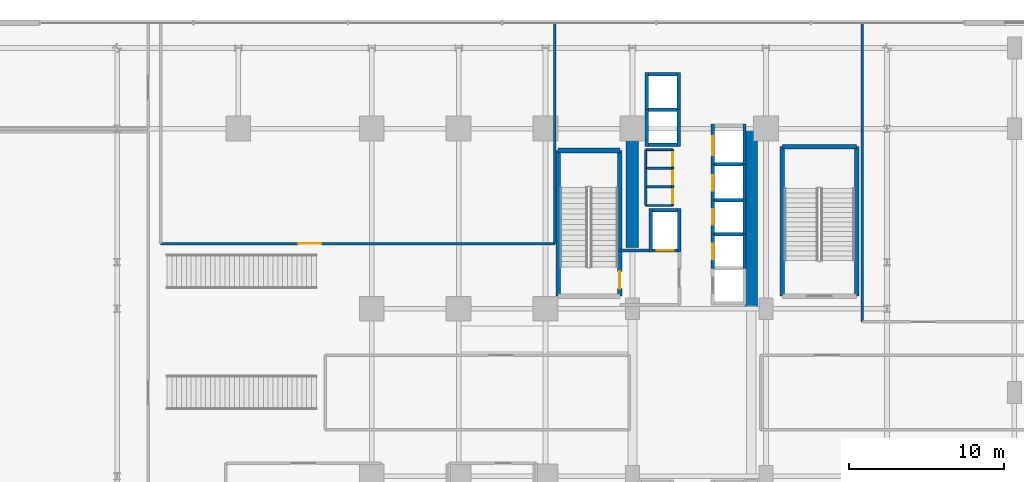
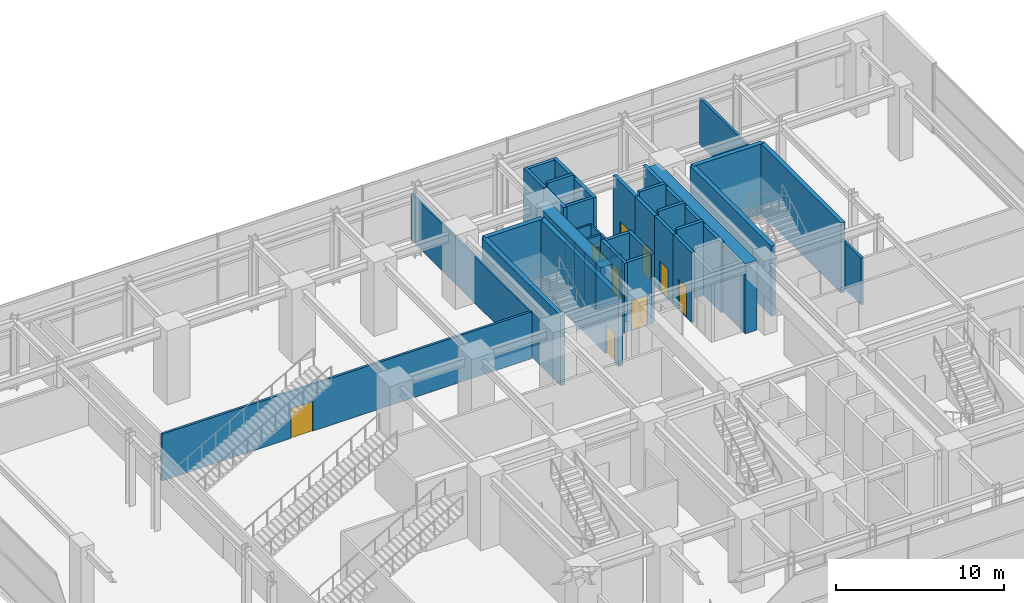
# One storey, part 29 of 34: 44 walls, 10 doors, 10 openings.
"""IFC4 building model written with IfcOpenShell, lengths in metres."""

from ifc_helpers import new_model, si_unit, direction, frame, frame_2d, origin, place, context, subcontext, project, spatial, rectangle, extrude, source, transform, mapped, material, layer, layer_set, type_object, element, fill, save


model = new_model("IFC4")

# Units and contexts
model_context = context("Model", 3, precision=1e-05, world=origin(), true_north=direction((0.0, 1.0)))
body_context = subcontext(model_context, "Body", "Model", "MODEL_VIEW")
ifc_project = project(units=[si_unit("LENGTHUNIT", "METRE"), si_unit("AREAUNIT", "SQUARE_METRE"), si_unit("VOLUMEUNIT", "CUBIC_METRE"), si_unit("PLANEANGLEUNIT", "RADIAN"), si_unit("MASSUNIT", "GRAM", prefix="KILO")], contexts=[model_context])

# Site, building, storey
site_placement = place(None, origin())
site = spatial("IfcSite", under=ifc_project, at=site_placement, CompositionType="ELEMENT")
building_placement = place(site_placement, origin())
building = spatial("IfcBuilding", under=site, at=building_placement, Name="Nahalor Promenade Grand Hotel", CompositionType="ELEMENT")
storey_placement = place(building_placement, frame((0.0, 0.0, 16.199951171875)))
storey = spatial("IfcBuildingStorey", under=building, at=storey_placement, Name="L03", CompositionType="ELEMENT", Elevation=16.199951171875)

# Walls
ifc_material_1 = material(Name="Concrete B-70 (C60/75)", Category="concrete")
ifc_layer_1 = layer(ifc_material_1, 0.800048828125)
ifc_layer_set_1 = layer_set([ifc_layer_1], Name="Concrete B-70 (C60/75)")
wall_type_1 = type_object("IfcWallType", Name="Wall-CoreShear-800", PredefinedType="SHEAR", material=ifc_layer_set_1)
shared_shape_1 = source(origin(), body_context, "Body", "SweptSolid", [
    extrude(rectangle(XDim=7.64990234375, YDim=0.800048828125, at=frame_2d((3.824951171875, 0.0))), origin(), (0.0, 0.0, 1.0), 5.080078125),
])
wall_1_placement = place(storey_placement, frame((8.39990234375, 9.35009765625, 0.0), z_axis=(0.0, 0.0, 1.0), x_axis=(0.0, 1.0, 0.0)))
element("IfcWall", 1, at=wall_1_placement, inside=storey, type_object=wall_type_1, Name="CWALL-L03-NW", PredefinedType="SHEAR", context=body_context, shape_type="MappedRepresentation", body=[
    mapped(shared_shape_1, transform((0.0, 0.0, 0.0), scale=1.0)),
])
shared_shape_2 = source(origin(), body_context, "Body", "SweptSolid", [
    extrude(rectangle(XDim=11.60009765625, YDim=0.800048828125, at=frame_2d((5.800048828125, 0.0))), origin(), (0.0, 0.0, 1.0), 5.080078125),
])
wall_2_placement = place(storey_placement, frame((16.050048828125, 5.39990234375, 0.0), z_axis=(0.0, 0.0, 1.0), x_axis=(0.0, 1.0, 0.0)))
element("IfcWall", 2, at=wall_2_placement, inside=storey, type_object=wall_type_1, Name="CWALL-L03-NE", PredefinedType="SHEAR", context=body_context, shape_type="MappedRepresentation", body=[
    mapped(shared_shape_2, transform((0.0, 0.0, 0.0), scale=1.0)),
])
ifc_material_2 = material(Name="Concrete B-50 (C40/50)", Category="concrete")
ifc_layer_2 = layer(ifc_material_2, 0.300048828125)
ifc_layer_set_2 = layer_set([ifc_layer_2], Name="Concrete B-50 (C40/50)")
wall_type_2 = type_object("IfcWallType", Name="Wall-ShaftShear-300", PredefinedType="SHEAR", material=ifc_layer_set_2)
shared_shape_3 = source(origin(), body_context, "Body", "SweptSolid", [
    extrude(rectangle(XDim=3.97998046875, YDim=0.300048828125, at=frame_2d((1.989990234375, 0.0))), origin(), (0.0, 0.0, 1.0), 5.080078125),
])
wall_3_placement = place(storey_placement, frame((3.610107421875, 15.590087890625, 0.0), z_axis=(0.0, 0.0, 1.0), x_axis=(1.0, 0.0, 0.0)))
element("IfcWall", 3, at=wall_3_placement, inside=storey, type_object=wall_type_2, Name="L03 Exit Stair ST1 Shaft Wall N", PredefinedType="SHEAR", context=body_context, shape_type="MappedRepresentation", body=[
    mapped(shared_shape_3, transform((0.0, 0.0, 0.0), scale=1.0)),
])
shared_shape_4 = source(origin(), body_context, "Body", "SweptSolid", [
    extrude(rectangle(XDim=9.380126953125, YDim=0.300048828125, at=frame_2d((4.68994140625, 0.0))), origin(), (0.0, 0.0, 1.0), 5.080078125),
])
wall_4_placement = place(storey_placement, frame((3.610107421875, 6.2099609375, 0.0), z_axis=(0.0, 0.0, 1.0), x_axis=(0.0, 1.0, 0.0)))
element("IfcWall", 4, at=wall_4_placement, inside=storey, type_object=wall_type_2, Name="L03 Exit Stair ST1 Shaft Wall W", PredefinedType="SHEAR", context=body_context, shape_type="MappedRepresentation", body=[
    mapped(shared_shape_4, transform((0.0, 0.0, 0.0), scale=1.0)),
])

# Wall, opening, door
wall_5_placement = place(storey_placement, frame((7.590087890625, 6.2099609375, 0.0), z_axis=(0.0, 0.0, 1.0), x_axis=(0.0, 1.0, 0.0)))
wall_5 = element("IfcWall", 5, at=wall_5_placement, inside=storey, type_object=wall_type_2, Name="L03 Exit Stair ST1 Shaft Wall E", PredefinedType="SHEAR", context=body_context, shape_type="MappedRepresentation", body=[
    mapped(shared_shape_4, transform((0.0, 0.0, 0.0), scale=1.0)),
])
opening_1_placement = place(wall_5_placement, frame((0.489990234375, 0.0, 0.0)))
opening_1 = element("IfcOpeningElement", 6, at=opening_1_placement, cuts=wall_5, Name="Opening D-ST1", PredefinedType="OPENING", context=body_context, shape_type="SweptSolid", body=[
    extrude(rectangle(XDim=1.10009765625, YDim=2.14990234375, at=frame_2d((0.550048828125, 1.074951171875))), frame((0.0, 0.159912109375, 0.0), z_axis=(0.0, -1.0, 0.0), x_axis=(1.0, 0.0, 0.0)), (0.0, 0.0, 1.0), 0.320068359375),
])
ifc_material_3 = material(Name="Steel S355JR", Category="steel")
door_type_1 = type_object("IfcDoorType", Name="Door-StairFire-1100", OperationType="NOTDEFINED", PredefinedType="DOOR", material=ifc_material_3)
shared_shape_5 = source(origin(), body_context, "Body", "SweptSolid", [
    extrude(rectangle(XDim=1.10009765625, YDim=2.14990234375, at=frame_2d((0.550048828125, 1.074951171875))), frame((0.0, 0.02490234375, 0.0), z_axis=(0.0, -1.0, 0.0), x_axis=(1.0, 0.0, 0.0)), (0.0, 0.0, 1.0), 0.050048828125),
])
door_1_placement = place(opening_1_placement, origin())
door_1 = element("IfcDoor", 7, at=door_1_placement, inside=storey, type_object=door_type_1, Name="DR-STAIR-ST1-L03", OperationType="SINGLE_SWING_RIGHT", OverallHeight=2.14990234375, OverallWidth=1.10009765625, PredefinedType="DOOR", context=body_context, shape_type="MappedRepresentation", body=[
    mapped(shared_shape_5, transform((0.0, 0.0, 0.0), scale=1.0)),
])
fill(opening_1, door_1)

# Walls
shared_shape_6 = source(origin(), body_context, "Body", "SweptSolid", [
    extrude(rectangle(XDim=4.780029296875, YDim=0.300048828125, at=frame_2d((2.39013671875, 0.0))), origin(), (0.0, 0.0, 1.0), 5.080078125),
])
wall_6_placement = place(storey_placement, frame((18.06005859375, 15.840087890625, 0.0), z_axis=(0.0, 0.0, 1.0), x_axis=(1.0, 0.0, 0.0)))
element("IfcWall", 8, at=wall_6_placement, inside=storey, type_object=wall_type_2, Name="L03 Exit Stair ST4 Shaft Wall N", PredefinedType="SHEAR", context=body_context, shape_type="MappedRepresentation", body=[
    mapped(shared_shape_6, transform((0.0, 0.0, 0.0), scale=1.0)),
])
shared_shape_7 = source(origin(), body_context, "Body", "SweptSolid", [
    extrude(rectangle(XDim=9.630126953125, YDim=0.300048828125, at=frame_2d((4.81494140625, 0.0))), origin(), (0.0, 0.0, 1.0), 5.080078125),
])
for number, where, z_axis, x_axis, name in (
    (9, (18.06005859375, 6.2099609375, 0.0), (0.0, 0.0, 1.0), (0.0, 1.0, 0.0), "L03 Exit Stair ST4 Shaft Wall W"),
    (10, (22.840087890625, 6.2099609375, 0.0), (0.0, 0.0, 1.0), (0.0, 1.0, 0.0), "L03 Exit Stair ST4 Shaft Wall E"),
):
    element("IfcWall", number, at=place(storey_placement, frame(where, z_axis=z_axis, x_axis=x_axis)), inside=storey, type_object=wall_type_2, Name=name, PredefinedType="SHEAR", context=body_context, shape_type="MappedRepresentation", body=[
        mapped(shared_shape_7, transform((0.0, 0.0, 0.0), scale=1.0)),
    ])
ifc_layer_3 = layer(ifc_material_2, 0.219970703125)
ifc_layer_set_3 = layer_set([ifc_layer_3], Name="Concrete B-50 (C40/50)")
wall_type_3 = type_object("IfcWallType", Name="Wall-LiftShaft-220", PredefinedType="SHEAR", material=ifc_layer_set_3)
shared_shape_8 = source(origin(), body_context, "Body", "SweptSolid", [
    extrude(rectangle(XDim=1.820068359375, YDim=0.219970703125, at=frame_2d((0.91015625, 0.0))), origin(), (0.0, 0.0, 1.0), 5.080078125),
])
for number, where, z_axis, x_axis, name in (
    (11, (9.43994140625, 15.949951171875, 0.0), (0.0, 0.0, 1.0), (1.0, 0.0, 0.0), "L03 Lift OB1 Hoistway Wall S"),
    (12, (9.43994140625, 20.5, 0.0), (0.0, 0.0, 1.0), (1.0, 0.0, 0.0), "L03 Lift OB2 Hoistway Wall N"),
):
    element("IfcWall", number, at=place(storey_placement, frame(where, z_axis=z_axis, x_axis=x_axis)), inside=storey, type_object=wall_type_3, Name=name, PredefinedType="SHEAR", context=body_context, shape_type="MappedRepresentation", body=[
        mapped(shared_shape_8, transform((0.0, 0.0, 0.0), scale=1.0)),
    ])
shared_shape_9 = source(origin(), body_context, "Body", "SweptSolid", [
    extrude(rectangle(XDim=1.820068359375, YDim=0.219970703125, at=frame_2d((0.91015625, 0.0))), origin(), (0.0, 0.0, 1.0), 5.400146484375),
])
for number, where, z_axis, x_axis, name in (
    (13, (13.68994140625, 10.199951171875, 0.0), (0.0, 0.0, 1.0), (1.0, 0.0, 0.0), "L03 Lift PL2 Hoistway Wall N"),
    (14, (13.68994140625, 12.39990234375, 0.0), (0.0, 0.0, 1.0), (1.0, 0.0, 0.0), "L03 Lift PL3 Hoistway Wall N"),
    (15, (13.68994140625, 14.699951171875, 0.0), (0.0, 0.0, 1.0), (1.0, 0.0, 0.0), "L03 Lift PL4 Hoistway Wall N"),
    (16, (9.43994140625, 18.22509765625, 0.0), (0.0, 0.0, 1.0), (1.0, 0.0, 0.0), "L03 Lift OB1 Hoistway Wall N"),
):
    element("IfcWall", number, at=place(storey_placement, frame(where, z_axis=z_axis, x_axis=x_axis)), inside=storey, type_object=wall_type_3, Name=name, PredefinedType="SHEAR", context=body_context, shape_type="MappedRepresentation", body=[
        mapped(shared_shape_9, transform((0.0, 0.0, 0.0), scale=1.0)),
    ])

# Wall, opening, door
shared_shape_10 = source(origin(), body_context, "Body", "SweptSolid", [
    extrude(rectangle(XDim=2.199951171875, YDim=0.219970703125, at=frame_2d((1.10009765625, 0.0))), origin(), (0.0, 0.0, 1.0), 5.080078125),
])
wall_7_placement = place(storey_placement, frame((13.580078125, 8.0, 0.0), z_axis=(0.0, 0.0, 1.0), x_axis=(0.0, 1.0, 0.0)))
wall_7 = element("IfcWall", 17, at=wall_7_placement, inside=storey, type_object=wall_type_3, Name="L03 Lift PL2 Hoistway Wall W", PredefinedType="SHEAR", context=body_context, shape_type="MappedRepresentation", body=[
    mapped(shared_shape_10, transform((0.0, 0.0, 0.0), scale=1.0)),
])
opening_2_placement = place(wall_7_placement, frame((0.60009765625, 0.0, 0.0)))
opening_2 = element("IfcOpeningElement", 18, at=opening_2_placement, cuts=wall_7, Name="Opening LD-01", PredefinedType="OPENING", context=body_context, shape_type="SweptSolid", body=[
    extrude(rectangle(XDim=1.0, YDim=2.199951171875, at=frame_2d((0.5, 1.10009765625))), frame((0.0, 0.119873046875, 0.0), z_axis=(0.0, -1.0, 0.0), x_axis=(1.0, 0.0, 0.0)), (0.0, 0.0, 1.0), 0.239990234375),
])
door_type_2 = type_object("IfcDoorType", Name="Door-LiftLanding-1000", OperationType="DOUBLE_DOOR_SLIDING", PredefinedType="DOOR", material=ifc_material_3)
shared_shape_11 = source(origin(), body_context, "Body", "SweptSolid", [
    extrude(rectangle(XDim=1.0, YDim=2.199951171875, at=frame_2d((0.5, 1.10009765625))), frame((0.0, 0.02490234375, 0.0), z_axis=(0.0, -1.0, 0.0), x_axis=(1.0, 0.0, 0.0)), (0.0, 0.0, 1.0), 0.050048828125),
])
door_2_placement = place(opening_2_placement, origin())
door_2 = element("IfcDoor", 19, at=door_2_placement, inside=storey, type_object=door_type_2, Name="DR-LIFT-PL2-L03", OperationType="DOUBLE_DOOR_SLIDING", OverallHeight=2.199951171875, OverallWidth=1.0, PredefinedType="DOOR", context=body_context, shape_type="MappedRepresentation", body=[
    mapped(shared_shape_11, transform((0.0, 0.0, 0.0), scale=1.0)),
])
fill(opening_2, door_2)

# Wall
wall_8_placement = place(storey_placement, frame((15.6201171875, 8.0, 0.0), z_axis=(0.0, 0.0, 1.0), x_axis=(0.0, 1.0, 0.0)))
element("IfcWall", 20, at=wall_8_placement, inside=storey, type_object=wall_type_3, Name="L03 Lift PL2 Hoistway Wall E", PredefinedType="SHEAR", context=body_context, shape_type="MappedRepresentation", body=[
    mapped(shared_shape_10, transform((0.0, 0.0, 0.0), scale=1.0)),
])

# Wall, opening, door
wall_9_placement = place(storey_placement, frame((13.580078125, 10.199951171875, 0.0), z_axis=(0.0, 0.0, 1.0), x_axis=(0.0, 1.0, 0.0)))
wall_9 = element("IfcWall", 21, at=wall_9_placement, inside=storey, type_object=wall_type_3, Name="L03 Lift PL3 Hoistway Wall W", PredefinedType="SHEAR", context=body_context, shape_type="MappedRepresentation", body=[
    mapped(shared_shape_10, transform((0.0, 0.0, 0.0), scale=1.0)),
])
opening_3_placement = place(wall_9_placement, frame((0.60009765625, 0.0, 0.0)))
opening_3 = element("IfcOpeningElement", 22, at=opening_3_placement, cuts=wall_9, Name="Opening LD-01", PredefinedType="OPENING", context=body_context, shape_type="SweptSolid", body=[
    extrude(rectangle(XDim=1.0, YDim=2.199951171875, at=frame_2d((0.5, 1.10009765625))), frame((0.0, 0.119873046875, 0.0), z_axis=(0.0, -1.0, 0.0), x_axis=(1.0, 0.0, 0.0)), (0.0, 0.0, 1.0), 0.239990234375),
])
door_3_placement = place(opening_3_placement, origin())
door_3 = element("IfcDoor", 23, at=door_3_placement, inside=storey, type_object=door_type_2, Name="DR-LIFT-PL3-L03", OperationType="DOUBLE_DOOR_SLIDING", OverallHeight=2.199951171875, OverallWidth=1.0, PredefinedType="DOOR", context=body_context, shape_type="MappedRepresentation", body=[
    mapped(shared_shape_11, transform((0.0, 0.0, 0.0), scale=1.0)),
])
fill(opening_3, door_3)

# Wall
wall_10_placement = place(storey_placement, frame((15.6201171875, 10.199951171875, 0.0), z_axis=(0.0, 0.0, 1.0), x_axis=(0.0, 1.0, 0.0)))
element("IfcWall", 24, at=wall_10_placement, inside=storey, type_object=wall_type_3, Name="L03 Lift PL3 Hoistway Wall E", PredefinedType="SHEAR", context=body_context, shape_type="MappedRepresentation", body=[
    mapped(shared_shape_10, transform((0.0, 0.0, 0.0), scale=1.0)),
])

# Wall, opening, door
shared_shape_12 = source(origin(), body_context, "Body", "SweptSolid", [
    extrude(rectangle(XDim=2.300048828125, YDim=0.219970703125, at=frame_2d((1.14990234375, 0.0))), origin(), (0.0, 0.0, 1.0), 5.080078125),
])
wall_11_placement = place(storey_placement, frame((13.580078125, 12.39990234375, 0.0), z_axis=(0.0, 0.0, 1.0), x_axis=(0.0, 1.0, 0.0)))
wall_11 = element("IfcWall", 25, at=wall_11_placement, inside=storey, type_object=wall_type_3, Name="L03 Lift PL4 Hoistway Wall W", PredefinedType="SHEAR", context=body_context, shape_type="MappedRepresentation", body=[
    mapped(shared_shape_12, transform((0.0, 0.0, 0.0), scale=1.0)),
])
opening_4_placement = place(wall_11_placement, frame((0.60009765625, 0.0, 0.0)))
opening_4 = element("IfcOpeningElement", 26, at=opening_4_placement, cuts=wall_11, Name="Opening LD-01", PredefinedType="OPENING", context=body_context, shape_type="SweptSolid", body=[
    extrude(rectangle(XDim=1.0, YDim=2.199951171875, at=frame_2d((0.5, 1.10009765625))), frame((0.0, 0.119873046875, 0.0), z_axis=(0.0, -1.0, 0.0), x_axis=(1.0, 0.0, 0.0)), (0.0, 0.0, 1.0), 0.239990234375),
])
door_4_placement = place(opening_4_placement, origin())
door_4 = element("IfcDoor", 27, at=door_4_placement, inside=storey, type_object=door_type_2, Name="DR-LIFT-PL4-L03", OperationType="DOUBLE_DOOR_SLIDING", OverallHeight=2.199951171875, OverallWidth=1.0, PredefinedType="DOOR", context=body_context, shape_type="MappedRepresentation", body=[
    mapped(shared_shape_11, transform((0.0, 0.0, 0.0), scale=1.0)),
])
fill(opening_4, door_4)

# Walls
wall_12_placement = place(storey_placement, frame((15.6201171875, 12.39990234375, 0.0), z_axis=(0.0, 0.0, 1.0), x_axis=(0.0, 1.0, 0.0)))
element("IfcWall", 28, at=wall_12_placement, inside=storey, type_object=wall_type_3, Name="L03 Lift PL4 Hoistway Wall E", PredefinedType="SHEAR", context=body_context, shape_type="MappedRepresentation", body=[
    mapped(shared_shape_12, transform((0.0, 0.0, 0.0), scale=1.0)),
])
shared_shape_13 = source(origin(), body_context, "Body", "SweptSolid", [
    extrude(rectangle(XDim=2.385009765625, YDim=0.219970703125, at=frame_2d((1.1923828125, 0.0))), origin(), (0.0, 0.0, 1.0), 5.080078125),
])
for number, where, z_axis, x_axis, name in (
    (29, (9.330078125, 15.840087890625, 0.0), (0.0, 0.0, 1.0), (0.0, 1.0, 0.0), "L03 Lift OB1 Hoistway Wall W"),
    (30, (11.3701171875, 15.840087890625, 0.0), (0.0, 0.0, 1.0), (0.0, 1.0, 0.0), "L03 Lift OB1 Hoistway Wall E"),
    (31, (9.330078125, 18.22509765625, 0.0), (0.0, 0.0, 1.0), (0.0, 1.0, 0.0), "L03 Lift OB2 Hoistway Wall W"),
    (32, (11.3701171875, 18.22509765625, 0.0), (0.0, 0.0, 1.0), (0.0, 1.0, 0.0), "L03 Lift OB2 Hoistway Wall E"),
):
    element("IfcWall", number, at=place(storey_placement, frame(where, z_axis=z_axis, x_axis=x_axis)), inside=storey, type_object=wall_type_3, Name=name, PredefinedType="SHEAR", context=body_context, shape_type="MappedRepresentation", body=[
        mapped(shared_shape_13, transform((0.0, 0.0, 0.0), scale=1.0)),
    ])
shared_shape_14 = source(origin(), body_context, "Body", "SweptSolid", [
    extrude(rectangle(XDim=2.820068359375, YDim=0.219970703125, at=frame_2d((1.41015625, 0.0))), origin(), (0.0, 0.0, 1.0), 5.080078125),
])
for number, where, z_axis, x_axis, name in (
    (33, (9.580078125, 9.0400390625, 0.0), (0.0, 0.0, 1.0), (0.0, 1.0, 0.0), "L03 Lift FL1 Hoistway Wall W"),
    (34, (11.419921875, 9.0400390625, 0.0), (0.0, 0.0, 1.0), (0.0, 1.0, 0.0), "L03 Lift FL1 Hoistway Wall E"),
):
    element("IfcWall", number, at=place(storey_placement, frame(where, z_axis=z_axis, x_axis=x_axis)), inside=storey, type_object=wall_type_3, Name=name, PredefinedType="SHEAR", context=body_context, shape_type="MappedRepresentation", body=[
        mapped(shared_shape_14, transform((0.0, 0.0, 0.0), scale=1.0)),
    ])

# Wall, opening, door
shared_shape_15 = source(origin(), body_context, "Body", "SweptSolid", [
    extrude(rectangle(XDim=1.6201171875, YDim=0.219970703125, at=frame_2d((0.81005859375, 0.0))), origin(), (0.0, 0.0, 1.0), 5.080078125),
])
wall_13_placement = place(storey_placement, frame((9.68994140625, 9.14990234375, 0.0), z_axis=(0.0, 0.0, 1.0), x_axis=(1.0, 0.0, 0.0)))
wall_13 = element("IfcWall", 35, at=wall_13_placement, inside=storey, type_object=wall_type_3, Name="L03 Lift FL1 Hoistway Wall S", PredefinedType="SHEAR", context=body_context, shape_type="MappedRepresentation", body=[
    mapped(shared_shape_15, transform((0.0, 0.0, 0.0), scale=1.0)),
])
opening_5_placement = place(wall_13_placement, frame((0.260009765625, 0.0, 0.0)))
opening_5 = element("IfcOpeningElement", 36, at=opening_5_placement, cuts=wall_13, Name="Opening LD-02", PredefinedType="OPENING", context=body_context, shape_type="SweptSolid", body=[
    extrude(rectangle(XDim=1.10009765625, YDim=2.199951171875, at=frame_2d((0.550048828125, 1.10009765625))), frame((0.0, 0.119873046875, 0.0), z_axis=(0.0, -1.0, 0.0), x_axis=(1.0, 0.0, 0.0)), (0.0, 0.0, 1.0), 0.239990234375),
])
door_type_3 = type_object("IfcDoorType", Name="Door-LiftFF-1100", OperationType="DOUBLE_DOOR_SLIDING", PredefinedType="DOOR", material=ifc_material_3)
shared_shape_16 = source(origin(), body_context, "Body", "SweptSolid", [
    extrude(rectangle(XDim=1.10009765625, YDim=2.199951171875, at=frame_2d((0.550048828125, 1.10009765625))), frame((0.0, 0.02490234375, 0.0), z_axis=(0.0, -1.0, 0.0), x_axis=(1.0, 0.0, 0.0)), (0.0, 0.0, 1.0), 0.050048828125),
])
door_5_placement = place(opening_5_placement, frame((1.10009765625, 0.0, 0.0), z_axis=(0.0, 0.0, 1.0), x_axis=(-1.0, 0.0, 0.0)))
door_5 = element("IfcDoor", 37, at=door_5_placement, inside=storey, type_object=door_type_3, Name="DR-LIFT-FL1-L03", OperationType="DOUBLE_DOOR_SLIDING", OverallHeight=2.199951171875, OverallWidth=1.10009765625, PredefinedType="DOOR", context=body_context, shape_type="MappedRepresentation", body=[
    mapped(shared_shape_16, transform((0.0, 0.0, 0.0), scale=1.0)),
])
fill(opening_5, door_5)

# Wall
wall_14_placement = place(storey_placement, frame((9.68994140625, 11.75, 0.0), z_axis=(0.0, 0.0, 1.0), x_axis=(1.0, 0.0, 0.0)))
element("IfcWall", 38, at=wall_14_placement, inside=storey, type_object=wall_type_3, Name="L03 Lift FL1 Hoistway Wall N", PredefinedType="SHEAR", context=body_context, shape_type="MappedRepresentation", body=[
    mapped(shared_shape_15, transform((0.0, 0.0, 0.0), scale=1.0)),
])

# Wall, opening, door
shared_shape_17 = source(origin(), body_context, "Body", "SweptSolid", [
    extrude(rectangle(XDim=2.610107421875, YDim=0.219970703125, at=frame_2d((1.30517578125, 0.0))), origin(), (0.0, 0.0, 1.0), 5.080078125),
])
wall_15_placement = place(storey_placement, frame((13.580078125, 14.699951171875, 0.0), z_axis=(0.0, 0.0, 1.0), x_axis=(0.0, 1.0, 0.0)))
wall_15 = element("IfcWall", 39, at=wall_15_placement, inside=storey, type_object=wall_type_3, Name="L03 Lift SV1 Hoistway Wall W", PredefinedType="SHEAR", context=body_context, shape_type="MappedRepresentation", body=[
    mapped(shared_shape_17, transform((0.0, 0.0, 0.0), scale=1.0)),
])
opening_6_placement = place(wall_15_placement, frame((0.60009765625, 0.0, 0.0)))
opening_6 = element("IfcOpeningElement", 40, at=opening_6_placement, cuts=wall_15, Name="Opening LD-03", PredefinedType="OPENING", context=body_context, shape_type="SweptSolid", body=[
    extrude(rectangle(XDim=1.199951171875, YDim=2.199951171875, at=frame_2d((0.60009765625, 1.10009765625))), frame((0.0, 0.119873046875, 0.0), z_axis=(0.0, -1.0, 0.0), x_axis=(1.0, 0.0, 0.0)), (0.0, 0.0, 1.0), 0.239990234375),
])
door_type_4 = type_object("IfcDoorType", Name="Door-LiftService-1200", OperationType="DOUBLE_DOOR_SLIDING", PredefinedType="DOOR", material=ifc_material_3)
shared_shape_18 = source(origin(), body_context, "Body", "SweptSolid", [
    extrude(rectangle(XDim=1.199951171875, YDim=2.199951171875, at=frame_2d((0.60009765625, 1.10009765625))), frame((0.0, 0.02490234375, 0.0), z_axis=(0.0, -1.0, 0.0), x_axis=(1.0, 0.0, 0.0)), (0.0, 0.0, 1.0), 0.050048828125),
])
door_6_placement = place(opening_6_placement, origin())
door_6 = element("IfcDoor", 41, at=door_6_placement, inside=storey, type_object=door_type_4, Name="DR-LIFT-SV1-L03", OperationType="DOUBLE_DOOR_SLIDING", OverallHeight=2.199951171875, OverallWidth=1.199951171875, PredefinedType="DOOR", context=body_context, shape_type="MappedRepresentation", body=[
    mapped(shared_shape_18, transform((0.0, 0.0, 0.0), scale=1.0)),
])
fill(opening_6, door_6)

# Walls
wall_16_placement = place(storey_placement, frame((15.6201171875, 14.699951171875, 0.0), z_axis=(0.0, 0.0, 1.0), x_axis=(0.0, 1.0, 0.0)))
element("IfcWall", 42, at=wall_16_placement, inside=storey, type_object=wall_type_3, Name="L03 Lift SV1 Hoistway Wall E", PredefinedType="SHEAR", context=body_context, shape_type="MappedRepresentation", body=[
    mapped(shared_shape_17, transform((0.0, 0.0, 0.0), scale=1.0)),
])
ifc_material_4 = material(Name="Concrete B-40 (C32/40)", Category="concrete")
ifc_layer_4 = layer(ifc_material_4, 0.199951171875)
ifc_layer_set_4 = layer_set([ifc_layer_4], Name="Concrete B-40 (C32/40)")
wall_type_4 = type_object("IfcWallType", Name="Wall-PartFire-200", PredefinedType="PARTITIONING", material=ifc_layer_set_4)
shared_shape_19 = source(origin(), body_context, "Body", "SweptSolid", [
    extrude(rectangle(XDim=1.89990234375, YDim=0.199951171875, at=frame_2d((0.949951171875, 0.0))), origin(), (0.0, 0.0, 1.0), 3.400146484375),
])
wall_17_placement = place(storey_placement, frame((7.60009765625, 9.14990234375, 0.0), z_axis=(0.0, 0.0, 1.0), x_axis=(1.0, 0.0, 0.0)))
element("IfcWall", 43, at=wall_17_placement, inside=storey, type_object=wall_type_4, Name="W-L03-FF1-N", PredefinedType="PARTITIONING", context=body_context, shape_type="MappedRepresentation", body=[
    mapped(shared_shape_19, transform((0.0, 0.0, 0.0), scale=1.0)),
])
ifc_material_5 = material(Name="Acoustic Mineral Gypsum", Category="gypsum")
ifc_layer_5 = layer(ifc_material_5, 0.14990234375)
ifc_layer_set_5 = layer_set([ifc_layer_5], Name="Acoustic Mineral Gypsum")
wall_type_5 = type_object("IfcWallType", Name="Wall-PartService-150", PredefinedType="PARTITIONING", material=ifc_layer_set_5)
shared_shape_20 = source(origin(), body_context, "Body", "SweptSolid", [
    extrude(rectangle(XDim=1.75, YDim=0.14990234375, at=frame_2d((0.875, 0.0))), origin(), (0.0, 0.0, 1.0), 3.400146484375),
])
for number, where, z_axis, x_axis, name in (
    (44, (9.25, 12.050048828125, 0.0), (0.0, 0.0, 1.0), (1.0, 0.0, 0.0), "W-L03-CK3A-S"),
    (45, (9.25, 13.25, 0.0), (0.0, 0.0, 1.0), (1.0, 0.0, 0.0), "W-L03-CK3A-N"),
    (46, (9.25, 14.449951171875, 0.0), (0.0, 0.0, 1.0), (1.0, 0.0, 0.0), "W-L03-CK3B-N"),
):
    element("IfcWall", number, at=place(storey_placement, frame(where, z_axis=z_axis, x_axis=x_axis)), inside=storey, type_object=wall_type_5, Name=name, PredefinedType="PARTITIONING", context=body_context, shape_type="MappedRepresentation", body=[
        mapped(shared_shape_20, transform((0.0, 0.0, 0.0), scale=1.0)),
    ])
ifc_layer_6 = layer(ifc_material_5, 0.159912109375)
ifc_layer_set_6 = layer_set([ifc_layer_6], Name="Acoustic Mineral Gypsum")
wall_type_6 = type_object("IfcWallType", Name="Wall-PartCorridor-160", PredefinedType="PARTITIONING", material=ifc_layer_set_6)
shared_shape_21 = source(origin(), body_context, "Body", "SweptSolid", [
    extrude(rectangle(XDim=19.2099609375, YDim=0.159912109375, at=frame_2d((9.60498046875, 0.0))), origin(), (0.0, 0.0, 1.0), 3.400146484375),
])
wall_18_placement = place(storey_placement, frame((23.199951171875, 4.550048828125, 0.0), z_axis=(0.0, 0.0, 1.0), x_axis=(0.0, 1.0, 0.0)))
element("IfcWall", 47, at=wall_18_placement, inside=storey, type_object=wall_type_6, Name="W-L03-PR04-W", PredefinedType="PARTITIONING", context=body_context, shape_type="MappedRepresentation", body=[
    mapped(shared_shape_21, transform((0.0, 0.0, 0.0), scale=1.0)),
])
shared_shape_22 = source(origin(), body_context, "Body", "SweptSolid", [
    extrude(rectangle(XDim=1.199951171875, YDim=0.14990234375, at=frame_2d((0.60009765625, 0.0))), origin(), (0.0, 0.0, 1.0), 3.400146484375),
])
wall_19_placement = place(storey_placement, frame((9.25, 12.050048828125, 0.0), z_axis=(0.0, 0.0, 1.0), x_axis=(0.0, 1.0, 0.0)))
element("IfcWall", 48, at=wall_19_placement, inside=storey, type_object=wall_type_5, Name="W-L03-CK3A-W", PredefinedType="PARTITIONING", context=body_context, shape_type="MappedRepresentation", body=[
    mapped(shared_shape_22, transform((0.0, 0.0, 0.0), scale=1.0)),
])

# Wall, opening, door
wall_20_placement = place(storey_placement, frame((11.0, 12.050048828125, 0.0), z_axis=(0.0, 0.0, 1.0), x_axis=(0.0, 1.0, 0.0)))
wall_20 = element("IfcWall", 49, at=wall_20_placement, inside=storey, type_object=wall_type_5, Name="W-L03-CK3A-E", PredefinedType="PARTITIONING", context=body_context, shape_type="MappedRepresentation", body=[
    mapped(shared_shape_22, transform((0.0, 0.0, 0.0), scale=1.0)),
])
opening_7_placement = place(wall_20_placement, frame((0.159912109375, 0.0, 0.0)))
opening_7 = element("IfcOpeningElement", 50, at=opening_7_placement, cuts=wall_20, Name="Opening D-03", PredefinedType="OPENING", context=body_context, shape_type="SweptSolid", body=[
    extrude(rectangle(XDim=0.8798828125, YDim=2.10009765625, at=frame_2d((0.43994140625, 1.050048828125))), frame((0.0, 0.0849609375, 0.0), z_axis=(0.0, -1.0, 0.0), x_axis=(1.0, 0.0, 0.0)), (0.0, 0.0, 1.0), 0.169921875),
])
ifc_material_6 = material(Name="Fire-Rated Timber Composite", Category="wood")
door_type_5 = type_object("IfcDoorType", Name="Door-BathSwing-880", OperationType="NOTDEFINED", PredefinedType="DOOR", material=ifc_material_6)
shared_shape_23 = source(origin(), body_context, "Body", "SweptSolid", [
    extrude(rectangle(XDim=0.8798828125, YDim=2.10009765625, at=frame_2d((0.43994140625, 1.050048828125))), frame((0.0, 0.02490234375, 0.0), z_axis=(0.0, -1.0, 0.0), x_axis=(1.0, 0.0, 0.0)), (0.0, 0.0, 1.0), 0.050048828125),
])
door_7_placement = place(opening_7_placement, origin())
door_7 = element("IfcDoor", 51, at=door_7_placement, inside=storey, type_object=door_type_5, Name="DR-L03-CK3A", OperationType="SINGLE_SWING_RIGHT", OverallHeight=2.10009765625, OverallWidth=0.8798828125, PredefinedType="DOOR", context=body_context, shape_type="MappedRepresentation", body=[
    mapped(shared_shape_23, transform((0.0, 0.0, 0.0), scale=1.0)),
])
fill(opening_7, door_7)

# Wall
wall_21_placement = place(storey_placement, frame((9.25, 13.25, 0.0), z_axis=(0.0, 0.0, 1.0), x_axis=(0.0, 1.0, 0.0)))
element("IfcWall", 52, at=wall_21_placement, inside=storey, type_object=wall_type_5, Name="W-L03-CK3B-W", PredefinedType="PARTITIONING", context=body_context, shape_type="MappedRepresentation", body=[
    mapped(shared_shape_22, transform((0.0, 0.0, 0.0), scale=1.0)),
])

# Wall, opening, door
wall_22_placement = place(storey_placement, frame((11.0, 13.25, 0.0), z_axis=(0.0, 0.0, 1.0), x_axis=(0.0, 1.0, 0.0)))
wall_22 = element("IfcWall", 53, at=wall_22_placement, inside=storey, type_object=wall_type_5, Name="W-L03-CK3B-E", PredefinedType="PARTITIONING", context=body_context, shape_type="MappedRepresentation", body=[
    mapped(shared_shape_22, transform((0.0, 0.0, 0.0), scale=1.0)),
])
opening_8_placement = place(wall_22_placement, frame((0.159912109375, 0.0, 0.0)))
opening_8 = element("IfcOpeningElement", 54, at=opening_8_placement, cuts=wall_22, Name="Opening D-03", PredefinedType="OPENING", context=body_context, shape_type="SweptSolid", body=[
    extrude(rectangle(XDim=0.8798828125, YDim=2.10009765625, at=frame_2d((0.43994140625, 1.050048828125))), frame((0.0, 0.0849609375, 0.0), z_axis=(0.0, -1.0, 0.0), x_axis=(1.0, 0.0, 0.0)), (0.0, 0.0, 1.0), 0.169921875),
])
door_8_placement = place(opening_8_placement, origin())
door_8 = element("IfcDoor", 55, at=door_8_placement, inside=storey, type_object=door_type_5, Name="DR-L03-CK3B", OperationType="SINGLE_SWING_LEFT", OverallHeight=2.10009765625, OverallWidth=0.8798828125, PredefinedType="DOOR", context=body_context, shape_type="MappedRepresentation", body=[
    mapped(shared_shape_23, transform((0.0, 0.0, 0.0), scale=1.0)),
])
fill(opening_8, door_8)

# Walls
ifc_layer_7 = layer(ifc_material_5, 0.1201171875)
ifc_layer_set_7 = layer_set([ifc_layer_7], Name="Acoustic Mineral Gypsum")
wall_type_7 = type_object("IfcWallType", Name="Wall-PartBath-120", PredefinedType="PARTITIONING", material=ifc_layer_set_7)
shared_shape_24 = source(origin(), body_context, "Body", "SweptSolid", [
    extrude(rectangle(XDim=1.75, YDim=0.1201171875, at=frame_2d((0.875, 0.0))), origin(), (0.0, 0.0, 1.0), 3.400146484375),
])
wall_23_placement = place(storey_placement, frame((9.25, 15.64990234375, 0.0), z_axis=(0.0, 0.0, 1.0), x_axis=(1.0, 0.0, 0.0)))
element("IfcWall", 56, at=wall_23_placement, inside=storey, type_object=wall_type_7, Name="W-L03-CK3C-N", PredefinedType="PARTITIONING", context=body_context, shape_type="MappedRepresentation", body=[
    mapped(shared_shape_24, transform((0.0, 0.0, 0.0), scale=1.0)),
])
shared_shape_25 = source(origin(), body_context, "Body", "SweptSolid", [
    extrude(rectangle(XDim=1.199951171875, YDim=0.1201171875, at=frame_2d((0.60009765625, 0.0))), origin(), (0.0, 0.0, 1.0), 3.400146484375),
])
wall_24_placement = place(storey_placement, frame((9.25, 14.449951171875, 0.0), z_axis=(0.0, 0.0, 1.0), x_axis=(0.0, 1.0, 0.0)))
element("IfcWall", 57, at=wall_24_placement, inside=storey, type_object=wall_type_7, Name="W-L03-CK3C-W", PredefinedType="PARTITIONING", context=body_context, shape_type="MappedRepresentation", body=[
    mapped(shared_shape_25, transform((0.0, 0.0, 0.0), scale=1.0)),
])

# Wall, opening, door
wall_25_placement = place(storey_placement, frame((11.0, 14.449951171875, 0.0), z_axis=(0.0, 0.0, 1.0), x_axis=(0.0, 1.0, 0.0)))
wall_25 = element("IfcWall", 58, at=wall_25_placement, inside=storey, type_object=wall_type_7, Name="W-L03-CK3C-E", PredefinedType="PARTITIONING", context=body_context, shape_type="MappedRepresentation", body=[
    mapped(shared_shape_25, transform((0.0, 0.0, 0.0), scale=1.0)),
])
opening_9_placement = place(wall_25_placement, frame((0.159912109375, 0.0, 0.0)))
opening_9 = element("IfcOpeningElement", 59, at=opening_9_placement, cuts=wall_25, Name="Opening D-03", PredefinedType="OPENING", context=body_context, shape_type="SweptSolid", body=[
    extrude(rectangle(XDim=0.8798828125, YDim=2.10009765625, at=frame_2d((0.43994140625, 1.050048828125))), frame((0.0, 0.070068359375, 0.0), z_axis=(0.0, -1.0, 0.0), x_axis=(1.0, 0.0, 0.0)), (0.0, 0.0, 1.0), 0.14013671875),
])
door_9_placement = place(opening_9_placement, origin())
door_9 = element("IfcDoor", 60, at=door_9_placement, inside=storey, type_object=door_type_5, Name="DR-L03-CK3C", OperationType="SINGLE_SWING_RIGHT", OverallHeight=2.10009765625, OverallWidth=0.8798828125, PredefinedType="DOOR", context=body_context, shape_type="MappedRepresentation", body=[
    mapped(shared_shape_23, transform((0.0, 0.0, 0.0), scale=1.0)),
])
fill(opening_9, door_9)

shared_shape_26 = source(origin(), body_context, "Body", "SweptSolid", [
    extrude(rectangle(XDim=25.39990234375, YDim=0.159912109375, at=frame_2d((12.699951171875, 0.0))), origin(), (0.0, 0.0, 1.0), 3.400146484375),
])
wall_26_placement = place(storey_placement, frame((-22.0, 9.60009765625, 0.0), z_axis=(0.0, 0.0, 1.0), x_axis=(1.0, 0.0, 0.0)))
wall_26 = element("IfcWall", 61, at=wall_26_placement, inside=storey, type_object=wall_type_6, Name="W-L03-PR06-S", PredefinedType="PARTITIONING", context=body_context, shape_type="MappedRepresentation", body=[
    mapped(shared_shape_26, transform((0.0, 0.0, 0.0), scale=1.0)),
])
opening_10_placement = place(wall_26_placement, frame((8.866943359375, 0.0, 0.0)))
opening_10 = element("IfcOpeningElement", 62, at=opening_10_placement, cuts=wall_26, Name="Opening D-02", PredefinedType="OPENING", context=body_context, shape_type="SweptSolid", body=[
    extrude(rectangle(XDim=1.5, YDim=2.14990234375, at=frame_2d((0.75, 1.074951171875))), frame((0.0, 0.08984375, 0.0), z_axis=(0.0, -1.0, 0.0), x_axis=(1.0, 0.0, 0.0)), (0.0, 0.0, 1.0), 0.179931640625),
])
door_type_6 = type_object("IfcDoorType", Name="Door-SuiteDouble-1500", OperationType="DOUBLE_DOOR_SINGLE_SWING", PredefinedType="DOOR", material=ifc_material_6)
shared_shape_27 = source(origin(), body_context, "Body", "SweptSolid", [
    extrude(rectangle(XDim=1.5, YDim=2.14990234375, at=frame_2d((0.75, 1.074951171875))), frame((0.0, 0.02490234375, 0.0), z_axis=(0.0, -1.0, 0.0), x_axis=(1.0, 0.0, 0.0)), (0.0, 0.0, 1.0), 0.050048828125),
])
door_10_placement = place(opening_10_placement, origin())
door_10 = element("IfcDoor", 63, at=door_10_placement, inside=storey, type_object=door_type_6, Name="DR-L03-PR06", OperationType="DOUBLE_DOOR_SINGLE_SWING", OverallHeight=2.14990234375, OverallWidth=1.5, PredefinedType="DOOR", context=body_context, shape_type="MappedRepresentation", body=[
    mapped(shared_shape_27, transform((0.0, 0.0, 0.0), scale=1.0)),
])
fill(opening_10, door_10)

# Wall
shared_shape_28 = source(origin(), body_context, "Body", "SweptSolid", [
    extrude(rectangle(XDim=14.159912109375, YDim=0.159912109375, at=frame_2d((7.080078125, 0.0))), origin(), (0.0, 0.0, 1.0), 3.400146484375),
])
wall_27_placement = place(storey_placement, frame((3.39990234375, 9.60009765625, 0.0), z_axis=(0.0, 0.0, 1.0), x_axis=(0.0, 1.0, 0.0)))
element("IfcWall", 64, at=wall_27_placement, inside=storey, type_object=wall_type_6, Name="W-L03-PR06-E", PredefinedType="PARTITIONING", context=body_context, shape_type="MappedRepresentation", body=[
    mapped(shared_shape_28, transform((0.0, 0.0, 0.0), scale=1.0)),
])

save(model, "model.ifc")
